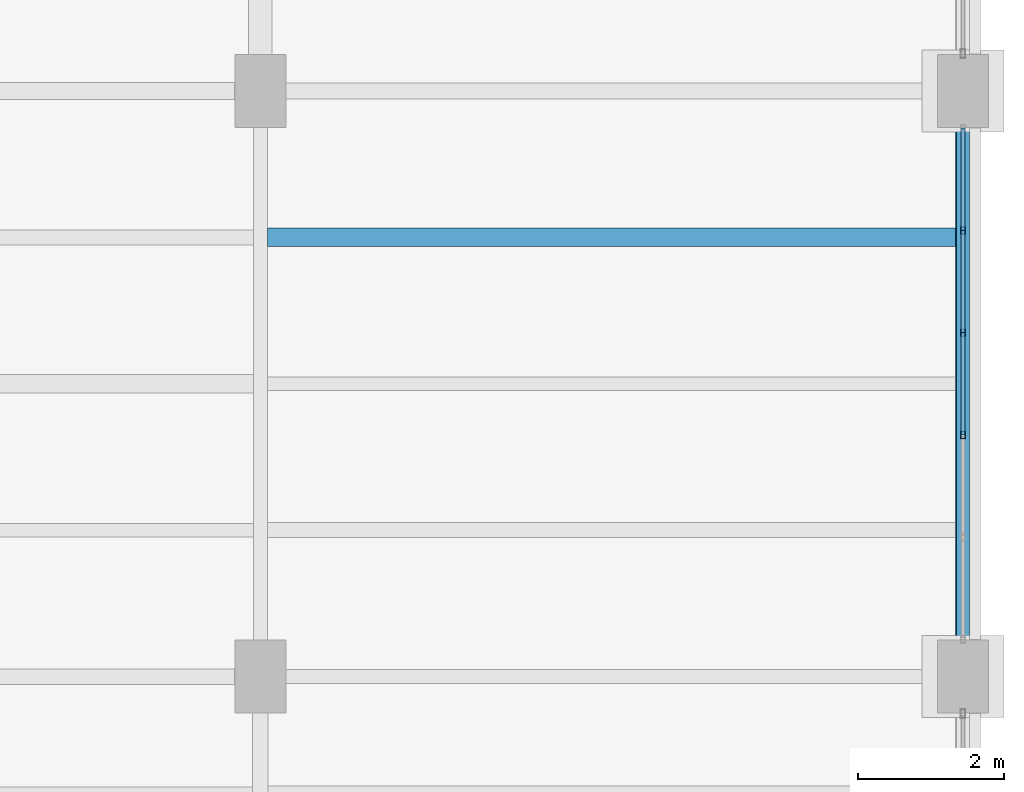
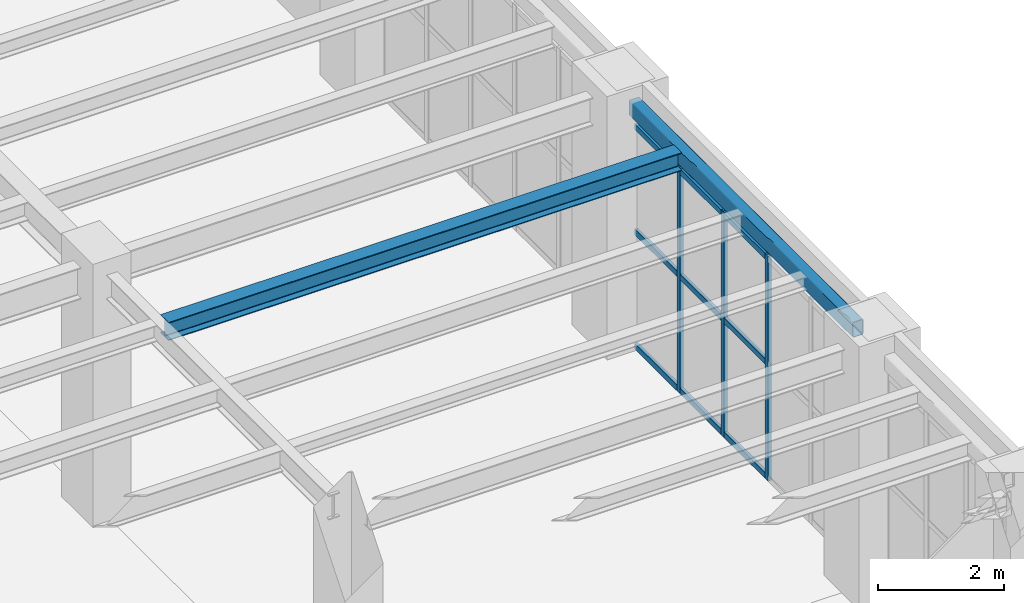
# One storey, part 106 of 174: 12 members, 2 beams, 1 element without a shape of its own.
"""IFC4 building model written with IfcOpenShell, lengths in metres."""

import ifcopenshell
import ifcopenshell.guid

model = None  # the IFC model being written
_history = None  # IfcOwnerHistory: only IFC2X3 demands one
_inside = {}  # id of a spatial element -> (the spatial element, [elements in it])
_under = {}  # id of a project, library or spatial element -> (it, [spatial elements below it])
_declared = {}  # id of a project -> (the project, [libraries it declares])
_typed = {}  # id of a type object -> (the type object, [elements of that type])
_made_of = {}  # id of a material, layer set ... -> (it, [elements and type objects made of it])


def new_model(schema):
    """Start an empty IFC model of exactly this schema.

    Asked for "IFC4X3", IfcOpenShell would pick the latest addendum, in which some entities
    have other attributes; the version numbers below select the first issue.
    IFC2X3 requires an IfcOwnerHistory on every rooted entity: one is made here for all.
    """
    global model, _history
    if schema == "IFC4X3":
        model = ifcopenshell.file(schema_version=(4, 3, 0, 0))
    else:
        model = ifcopenshell.file(schema=schema)
    _inside.clear()
    _under.clear()
    _declared.clear()
    _typed.clear()
    _made_of.clear()
    _history = None
    if model.schema == "IFC2X3":
        org = make("IfcOrganization", Name="unknown")
        user = make(
            "IfcPersonAndOrganization",
            ThePerson=make("IfcPerson", FamilyName="unknown"),
            TheOrganization=org,
        )
        app = make(
            "IfcApplication",
            ApplicationDeveloper=org,
            Version="unknown",
            ApplicationFullName="unknown",
            ApplicationIdentifier="unknown",
        )
        _history = make(
            "IfcOwnerHistory",
            OwningUser=user,
            OwningApplication=app,
            ChangeAction="ADDED",
            CreationDate=0,
        )
    return model


def make(cls, **values):
    """One entity of the class cls with the attributes given. An attribute that is None is left unset."""
    return model.create_entity(
        cls, **{name: value for name, value in values.items() if value is not None}
    )


def rooted(cls, **values):
    """An entity with a GlobalId (a new one), such as an element, a storey or a relation."""
    return make(cls, GlobalId=ifcopenshell.guid.new(), OwnerHistory=_history, **values)


def si_unit(unit_type, name, prefix=None):
    """IfcSIUnit, for example si_unit("LENGTHUNIT", "METRE", prefix="MILLI")."""
    return make("IfcSIUnit", UnitType=unit_type, Prefix=prefix, Name=name)


def assignment(units):
    """IfcUnitAssignment: the units of a project."""
    return None if units is None else make("IfcUnitAssignment", Units=units)


def point(xyz):
    """IfcCartesianPoint."""
    return None if xyz is None else make("IfcCartesianPoint", Coordinates=xyz)


def direction(xyz):
    """IfcDirection."""
    return None if xyz is None else make("IfcDirection", DirectionRatios=xyz)


def frame(location, z_axis=None, x_axis=None):
    """IfcAxis2Placement3D, a coordinate frame: its origin and axes. An axis left out is left unset."""
    return make(
        "IfcAxis2Placement3D",
        Location=point(location),
        Axis=direction(z_axis),
        RefDirection=direction(x_axis),
    )


def frame_2d(location, x_axis=None):
    """IfcAxis2Placement2D, a coordinate frame in the plane: its origin and x axis."""
    return make(
        "IfcAxis2Placement2D", Location=point(location), RefDirection=direction(x_axis)
    )


def origin():
    """The frame at (0, 0, 0) with its axes left unset."""
    return frame((0.0, 0.0, 0.0))


def origin_2d():
    """The frame at (0, 0) in the plane with its x axis left unset."""
    return frame_2d((0.0, 0.0))


def place(relative_to, where):
    """IfcLocalPlacement: puts the frame where relative to a parent placement (None: the world)."""
    return make(
        "IfcLocalPlacement", PlacementRelTo=relative_to, RelativePlacement=where
    )


def context(
    kind, dimensions, precision=None, world=None, true_north=None, identifier=None
):
    """IfcGeometricRepresentationContext, for example the 3D "Model" context."""
    return make(
        "IfcGeometricRepresentationContext",
        ContextIdentifier=identifier,
        ContextType=kind,
        CoordinateSpaceDimension=dimensions,
        Precision=precision,
        WorldCoordinateSystem=world,
        TrueNorth=true_north,
    )


def subcontext(parent, identifier, kind, view, scale=None):
    """IfcGeometricRepresentationSubContext, for example "Body" below "Model"."""
    return make(
        "IfcGeometricRepresentationSubContext",
        ContextIdentifier=identifier,
        ContextType=kind,
        ParentContext=parent,
        TargetScale=scale,
        TargetView=view,
    )


def project(units=None, contexts=None):
    """IfcProject with its units and contexts."""
    return rooted(
        "IfcProject",
        Name="project",
        RepresentationContexts=contexts,
        UnitsInContext=assignment(units),
    )


def spatial(cls, under=None, at=None, **own):
    """A site, building, storey or space (cls), placed at a placement, below another one or the project."""
    s = rooted(cls, ObjectPlacement=at, **own)
    if under is not None:
        _under.setdefault(under.id(), (under, []))[1].append(s)
    return s


def profile(cls, at=None, kind="AREA", **sizes):
    """A parametric profile (cls). Its sizes go by their IFC names, for example OverallWidth=200.0."""
    return make(cls, ProfileType=kind, Position=at, **sizes)


def hollow_rectangle(**sizes):
    """IfcRectangleHollowProfileDef."""
    return profile("IfcRectangleHollowProfileDef", **sizes)


def i_section(**sizes):
    """IfcIShapeProfileDef."""
    return profile("IfcIShapeProfileDef", **sizes)


def extrude(swept, where, along, depth):
    """IfcExtrudedAreaSolid: the profile swept, set in the frame where, extruded along a direction by depth."""
    return make(
        "IfcExtrudedAreaSolid",
        SweptArea=swept,
        Position=where,
        ExtrudedDirection=direction(along),
        Depth=depth,
    )


def shape(context_of_items, identifier, shape_type, items):
    """IfcShapeRepresentation: the items that make up one representation, for example the "Body"."""
    return make(
        "IfcShapeRepresentation",
        ContextOfItems=context_of_items,
        RepresentationIdentifier=identifier,
        RepresentationType=shape_type,
        Items=items,
    )


def material(Name=None, Category=None):
    """IfcMaterial."""
    return make("IfcMaterial", Name=Name, Category=Category)


def material_profile(
    of_material, cross_section, Name=None, Category=None, Priority=None
):
    """IfcMaterialProfile: a cross section and its material."""
    return make(
        "IfcMaterialProfile",
        Name=Name,
        Material=of_material,
        Profile=cross_section,
        Priority=Priority,
        Category=Category,
    )


def profile_set(profiles, Name=None, composite=None):
    """IfcMaterialProfileSet."""
    return make(
        "IfcMaterialProfileSet",
        Name=Name,
        MaterialProfiles=profiles,
        CompositeProfile=composite,
    )


def made_of(thing, what):
    """Note that an element or type object is made of a material, layer set ...; save() writes the relation."""
    if what is not None:
        _made_of.setdefault(what.id(), (what, []))[1].append(thing)
    return thing


def type_object(cls, material=None, **own):
    """A type object (cls), such as IfcWallType, which elements share."""
    return made_of(rooted(cls, **own), material)


def element(
    cls,
    number,
    at=None,
    inside=None,
    cuts=None,
    type_object=None,
    material=None,
    context=None,
    identifier="Body",
    shape_type=None,
    held_by="IfcProductDefinitionShape",
    body=None,
    shapes=None,
    **own,
):
    """One element of the class cls, such as IfcWall. Its Tag is "e" and its number.

    at: its placement. inside: the storey or other place that contains it. cuts: it is an
    opening in that element (IfcRelVoidsElement). A single representation is given by context,
    identifier, shape_type and body (its items); several are given by shapes. held_by: the class
    of the entity that holds the representations. save() writes the other relations.
    """
    e = rooted(cls, Tag="e%d" % number, ObjectPlacement=at, **own)
    if body is not None:
        shapes = [shape(context, identifier, shape_type, body)]
    if shapes is not None:
        e.Representation = make(held_by, Representations=shapes)
    if inside is not None:
        _inside.setdefault(inside.id(), (inside, []))[1].append(e)
    if cuts is not None:
        rooted(
            "IfcRelVoidsElement", RelatingBuildingElement=cuts, RelatedOpeningElement=e
        )
    if type_object is not None:
        _typed.setdefault(type_object.id(), (type_object, []))[1].append(e)
    return made_of(e, material)


def aggregate(whole, parts):
    """IfcRelAggregates: a whole, such as a stair, and the parts it consists of."""
    return rooted("IfcRelAggregates", RelatingObject=whole, RelatedObjects=parts)


def save(model, path):
    """Write the relations noted so far, then the file.

    IfcRelAggregates (storeys below a building ...), IfcRelContainedInSpatialStructure (elements
    in a storey), IfcRelDefinesByType, IfcRelAssociatesMaterial and IfcRelDeclares: one each for
    every whole, place, type object, material and project.
    """
    for whole, parts in _under.values():
        aggregate(whole, parts)
    for where, things in _inside.values():
        rooted(
            "IfcRelContainedInSpatialStructure",
            RelatedElements=things,
            RelatingStructure=where,
        )
    for kind, things in _typed.values():
        rooted("IfcRelDefinesByType", RelatedObjects=things, RelatingType=kind)
    for what, things in _made_of.values():
        rooted("IfcRelAssociatesMaterial", RelatedObjects=things, RelatingMaterial=what)
    for by, libraries in _declared.values():
        rooted("IfcRelDeclares", RelatingContext=by, RelatedDefinitions=libraries)
    model.write(path)


model = new_model("IFC4")

# Units and contexts
model_context = context("Model", 3, precision=1e-05, world=origin(), true_north=direction((0.0, 1.0)))
body_context = subcontext(model_context, "Body", "Model", "MODEL_VIEW")
ifc_project = project(units=[si_unit("LENGTHUNIT", "METRE"), si_unit("AREAUNIT", "SQUARE_METRE"), si_unit("VOLUMEUNIT", "CUBIC_METRE"), si_unit("PLANEANGLEUNIT", "RADIAN"), si_unit("MASSUNIT", "GRAM", prefix="KILO")], contexts=[model_context])

# Site, building, storey
site_placement = place(None, origin())
site = spatial("IfcSite", under=ifc_project, at=site_placement, CompositionType="ELEMENT")
building_placement = place(site_placement, origin())
building = spatial("IfcBuilding", under=site, at=building_placement, Name="Mavantir Sound Aquarium", CompositionType="ELEMENT")
storey_placement = place(building_placement, frame((0.0, 0.0, 5.39990234375)))
storey = spatial("IfcBuildingStorey", under=building, at=storey_placement, Name="L01", CompositionType="ELEMENT", Elevation=5.39990234375)

# Beams
ifc_material_1 = material(Name="Hollow Structural Steel ASTM A500 GrC", Category="steel")
ifc_material_profile_1 = material_profile(ifc_material_1, hollow_rectangle(XDim=0.199951171875, YDim=0.300048828125, WallThickness=0.012451171875, InnerFilletRadius=0.012451171875, OuterFilletRadius=0.02490234375, at=origin_2d()), Name="RHS 300X200X12.5")
ifc_profile_set_1 = profile_set([ifc_material_profile_1], Name="Hollow Structural Steel ASTM A500 GrC")
beam_type_1 = type_object("IfcBeamType", Name="BM-RHS300-E", PredefinedType="SPANDREL", material=ifc_profile_set_1)
beam_1_placement = place(storey_placement, frame((175.199951171875, 41.25, 4.656005859375), z_axis=(0.0, 1.0, 0.0), x_axis=(-1.0, 0.0, 0.0)))
element("IfcBeam", 1, at=beam_1_placement, inside=storey, type_object=beam_type_1, Name="L01 primary girder SS-R30 1353", PredefinedType="SPANDREL", context=body_context, shape_type="SweptSolid", body=[
    extrude(hollow_rectangle(XDim=0.199951171875, YDim=0.300048828125, WallThickness=0.012451171875, InnerFilletRadius=0.012451171875, OuterFilletRadius=0.02490234375, at=origin_2d()), origin(), (0.0, 0.0, 1.0), 7.10009765625),
])
ifc_material_2 = material(Name="Structural Steel ASTM A992 Gr50", Category="steel")
ifc_material_profile_2 = material_profile(ifc_material_2, i_section(OverallWidth=0.25390625, OverallDepth=0.35302734375, WebThickness=0.009521484375, FlangeThickness=0.016357421875, FilletRadius=0.014892578125, at=origin_2d()), Name="W360X91")
ifc_profile_set_2 = profile_set([ifc_material_profile_2], Name="Structural Steel ASTM A992 Gr50")
beam_type_2 = type_object("IfcBeamType", Name="BM-W360X91-I", PredefinedType="JOIST", material=ifc_profile_set_2)
beam_2_placement = place(storey_placement, frame((165.697021484375, 46.800048828125, 4.629638671875), z_axis=(1.0, 0.0, 0.0), x_axis=(0.0, 1.0, 0.0)))
element("IfcBeam", 2, at=beam_2_placement, inside=storey, type_object=beam_type_2, Name="L01 secondary floor joist SJ-36 750", PredefinedType="JOIST", context=body_context, shape_type="SweptSolid", body=[
    extrude(i_section(OverallWidth=0.25390625, OverallDepth=0.35302734375, WebThickness=0.009521484375, FlangeThickness=0.016357421875, FilletRadius=0.014892578125, at=origin_2d()), origin(), (0.0, 0.0, 1.0), 9.403076171875),
])

# Curtain wall, members
ifc_material_3 = material(Name="Anodised Marine Aluminium and Low-E Glass", Category="aluminium")
curtain_wall_type = type_object("IfcCurtainWallType", Name="CW-T09", PredefinedType="USERDEFINED", material=ifc_material_3)
curtain_wall_placement = place(storey_placement, origin())
curtain_wall = element("IfcCurtainWall", 3, at=curtain_wall_placement, inside=storey, type_object=curtain_wall_type, Name="L01 unitised curtain wall CW-09 105", ObjectType="UNITISED GLAZING", PredefinedType="USERDEFINED")
ifc_material_4 = material(Name="Anodised Marine Aluminium 6063-T6", Category="aluminium")
ifc_material_profile_3 = material_profile(ifc_material_4, hollow_rectangle(XDim=0.06005859375, YDim=0.10009765625, WallThickness=0.00390625, at=origin_2d()), Name="ALU-MULLION-100X60")
ifc_profile_set_3 = profile_set([ifc_material_profile_3], Name="Anodised Marine Aluminium 6063-T6")
member_type_1 = type_object("IfcMemberType", Name="CW-MUL-100", PredefinedType="MULLION", material=ifc_profile_set_3)
member_1_placement = place(storey_placement, frame((175.199951171875, 44.1015625, 0.0), z_axis=(0.0, 0.0, 1.0), x_axis=(1.0, 0.0, 0.0)))
member_1 = element("IfcMember", 4, at=member_1_placement, type_object=member_type_1, Name="CW-L01-105 vertical mullion 3", PredefinedType="MULLION", context=body_context, shape_type="SweptSolid", body=[
    extrude(hollow_rectangle(XDim=0.06005859375, YDim=0.10009765625, WallThickness=0.00390625, at=origin_2d()), origin(), (0.0, 0.0, 1.0), 4.359130859375),
])
member_2_placement = place(storey_placement, frame((175.199951171875, 45.498291015625, 0.0), z_axis=(0.0, 0.0, 1.0), x_axis=(1.0, 0.0, 0.0)))
member_2 = element("IfcMember", 5, at=member_2_placement, type_object=member_type_1, Name="CW-L01-105 vertical mullion 4", PredefinedType="MULLION", context=body_context, shape_type="SweptSolid", body=[
    extrude(hollow_rectangle(XDim=0.06005859375, YDim=0.10009765625, WallThickness=0.00390625, at=origin_2d()), origin(), (0.0, 0.0, 1.0), 4.359130859375),
])
member_3_placement = place(storey_placement, frame((175.199951171875, 46.895263671875, 0.0), z_axis=(0.0, 0.0, 1.0), x_axis=(1.0, 0.0, 0.0)))
member_3 = element("IfcMember", 6, at=member_3_placement, type_object=member_type_1, Name="CW-L01-105 vertical mullion 5", PredefinedType="MULLION", context=body_context, shape_type="SweptSolid", body=[
    extrude(hollow_rectangle(XDim=0.06005859375, YDim=0.10009765625, WallThickness=0.00390625, at=origin_2d()), origin(), (0.0, 0.0, 1.0), 4.359130859375),
])
ifc_material_profile_4 = material_profile(ifc_material_4, hollow_rectangle(XDim=0.06005859375, YDim=0.110107421875, WallThickness=0.00390625, at=origin_2d()), Name="ALU-TRANSOM-110X60")
ifc_profile_set_4 = profile_set([ifc_material_profile_4], Name="Anodised Marine Aluminium 6063-T6")
member_type_2 = type_object("IfcMemberType", Name="CW-TRN-110", PredefinedType="USERDEFINED", material=ifc_profile_set_4)
member_4_placement = place(storey_placement, frame((175.199951171875, 44.1015625, 0.05517578125), z_axis=(0.0, 1.0, 0.0), x_axis=(-1.0, 0.0, 0.0)))
member_4 = element("IfcMember", 7, at=member_4_placement, type_object=member_type_2, Name="CW-L01-105 transom 3.1", ObjectType="TRANSOM", PredefinedType="USERDEFINED", context=body_context, shape_type="SweptSolid", body=[
    extrude(hollow_rectangle(XDim=0.06005859375, YDim=0.110107421875, WallThickness=0.00390625, at=origin_2d()), origin(), (0.0, 0.0, 1.0), 1.396728515625),
])
member_5_placement = place(storey_placement, frame((175.199951171875, 44.1015625, 2.266845703125), z_axis=(0.0, 1.0, 0.0), x_axis=(-1.0, 0.0, 0.0)))
member_5 = element("IfcMember", 8, at=member_5_placement, type_object=member_type_2, Name="CW-L01-105 transom 3.2", ObjectType="TRANSOM", PredefinedType="USERDEFINED", context=body_context, shape_type="SweptSolid", body=[
    extrude(hollow_rectangle(XDim=0.06005859375, YDim=0.110107421875, WallThickness=0.00390625, at=origin_2d()), origin(), (0.0, 0.0, 1.0), 1.396728515625),
])
member_6_placement = place(storey_placement, frame((175.199951171875, 44.1015625, 4.30419921875), z_axis=(0.0, 1.0, 0.0), x_axis=(-1.0, 0.0, 0.0)))
member_6 = element("IfcMember", 9, at=member_6_placement, type_object=member_type_2, Name="CW-L01-105 transom 3.3", ObjectType="TRANSOM", PredefinedType="USERDEFINED", context=body_context, shape_type="SweptSolid", body=[
    extrude(hollow_rectangle(XDim=0.06005859375, YDim=0.110107421875, WallThickness=0.00390625, at=origin_2d()), origin(), (0.0, 0.0, 1.0), 1.396728515625),
])
member_7_placement = place(storey_placement, frame((175.199951171875, 45.498291015625, 0.05517578125), z_axis=(0.0, 1.0, 0.0), x_axis=(-1.0, 0.0, 0.0)))
member_7 = element("IfcMember", 10, at=member_7_placement, type_object=member_type_2, Name="CW-L01-105 transom 4.1", ObjectType="TRANSOM", PredefinedType="USERDEFINED", context=body_context, shape_type="SweptSolid", body=[
    extrude(hollow_rectangle(XDim=0.06005859375, YDim=0.110107421875, WallThickness=0.00390625, at=origin_2d()), origin(), (0.0, 0.0, 1.0), 1.39697265625),
])
member_8_placement = place(storey_placement, frame((175.199951171875, 45.498291015625, 2.266845703125), z_axis=(0.0, 1.0, 0.0), x_axis=(-1.0, 0.0, 0.0)))
member_8 = element("IfcMember", 11, at=member_8_placement, type_object=member_type_2, Name="CW-L01-105 transom 4.2", ObjectType="TRANSOM", PredefinedType="USERDEFINED", context=body_context, shape_type="SweptSolid", body=[
    extrude(hollow_rectangle(XDim=0.06005859375, YDim=0.110107421875, WallThickness=0.00390625, at=origin_2d()), origin(), (0.0, 0.0, 1.0), 1.39697265625),
])
member_9_placement = place(storey_placement, frame((175.199951171875, 45.498291015625, 4.30419921875), z_axis=(0.0, 1.0, 0.0), x_axis=(-1.0, 0.0, 0.0)))
member_9 = element("IfcMember", 12, at=member_9_placement, type_object=member_type_2, Name="CW-L01-105 transom 4.3", ObjectType="TRANSOM", PredefinedType="USERDEFINED", context=body_context, shape_type="SweptSolid", body=[
    extrude(hollow_rectangle(XDim=0.06005859375, YDim=0.110107421875, WallThickness=0.00390625, at=origin_2d()), origin(), (0.0, 0.0, 1.0), 1.39697265625),
])
member_10_placement = place(storey_placement, frame((175.199951171875, 46.895263671875, 0.05517578125), z_axis=(0.0, 1.0, 0.0), x_axis=(-1.0, 0.0, 0.0)))
member_10 = element("IfcMember", 13, at=member_10_placement, type_object=member_type_2, Name="CW-L01-105 transom 5.1", ObjectType="TRANSOM", PredefinedType="USERDEFINED", context=body_context, shape_type="SweptSolid", body=[
    extrude(hollow_rectangle(XDim=0.06005859375, YDim=0.110107421875, WallThickness=0.00390625, at=origin_2d()), origin(), (0.0, 0.0, 1.0), 1.396728515625),
])
member_11_placement = place(storey_placement, frame((175.199951171875, 46.895263671875, 2.266845703125), z_axis=(0.0, 1.0, 0.0), x_axis=(-1.0, 0.0, 0.0)))
member_11 = element("IfcMember", 14, at=member_11_placement, type_object=member_type_2, Name="CW-L01-105 transom 5.2", ObjectType="TRANSOM", PredefinedType="USERDEFINED", context=body_context, shape_type="SweptSolid", body=[
    extrude(hollow_rectangle(XDim=0.06005859375, YDim=0.110107421875, WallThickness=0.00390625, at=origin_2d()), origin(), (0.0, 0.0, 1.0), 1.396728515625),
])
member_12_placement = place(storey_placement, frame((175.199951171875, 46.895263671875, 4.30419921875), z_axis=(0.0, 1.0, 0.0), x_axis=(-1.0, 0.0, 0.0)))
member_12 = element("IfcMember", 15, at=member_12_placement, type_object=member_type_2, Name="CW-L01-105 transom 5.3", ObjectType="TRANSOM", PredefinedType="USERDEFINED", context=body_context, shape_type="SweptSolid", body=[
    extrude(hollow_rectangle(XDim=0.06005859375, YDim=0.110107421875, WallThickness=0.00390625, at=origin_2d()), origin(), (0.0, 0.0, 1.0), 1.396728515625),
])
aggregate(curtain_wall, [member_1, member_2, member_3, member_4, member_5, member_6, member_7, member_8, member_9, member_10, member_11, member_12])

save(model, "model.ifc")
